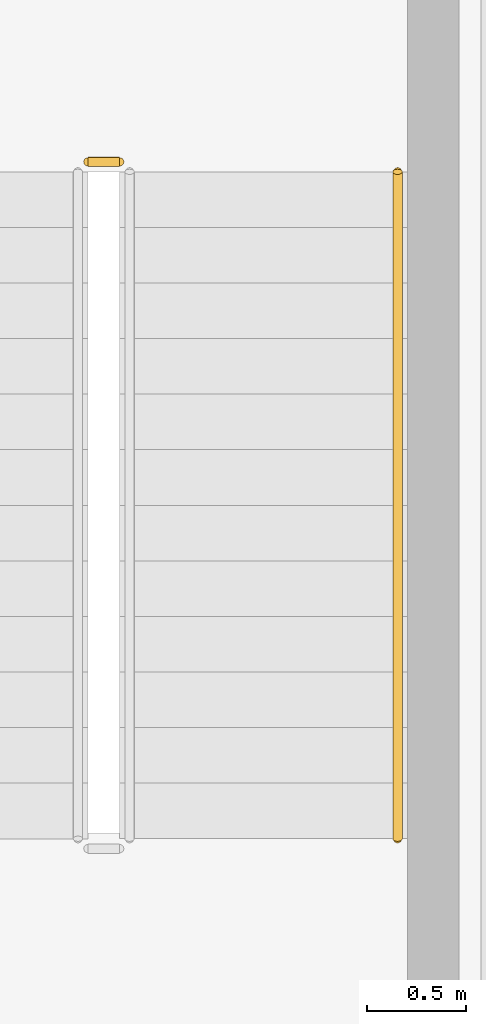
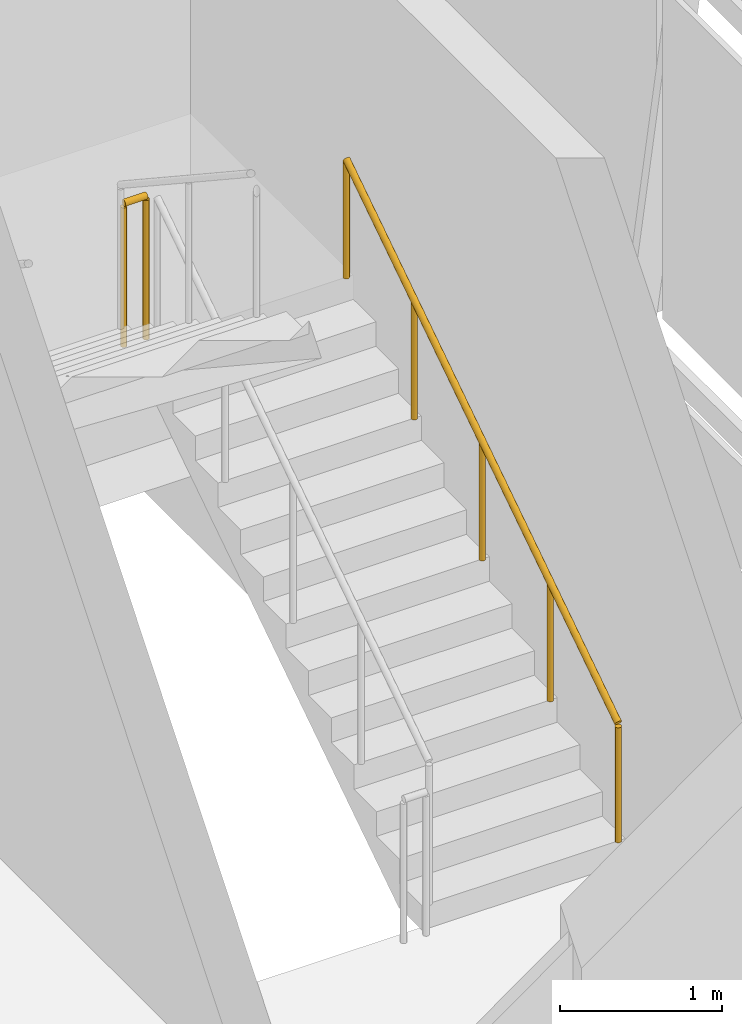
# One storey, part 48 of 52: 2 railings.
"""IFC4 building model written with IfcOpenShell, lengths in metres."""

from ifc_helpers import new_model, si_unit, direction, frame, origin, origin_2d, place, context, subcontext, project, spatial, circle, extrude, material, type_object, element, save


model = new_model("IFC4")

# Units and contexts
model_context = context("Model", 3, precision=1e-05, world=origin(), true_north=direction((0.0, 1.0)))
body_context = subcontext(model_context, "Body", "Model", "MODEL_VIEW")
ifc_project = project(units=[si_unit("LENGTHUNIT", "METRE"), si_unit("AREAUNIT", "SQUARE_METRE"), si_unit("VOLUMEUNIT", "CUBIC_METRE"), si_unit("PLANEANGLEUNIT", "RADIAN"), si_unit("MASSUNIT", "GRAM", prefix="KILO")], contexts=[model_context])

# Site, building, storey
site_placement = place(None, origin())
site = spatial("IfcSite", under=ifc_project, at=site_placement, CompositionType="ELEMENT")
building_placement = place(site_placement, origin())
building = spatial("IfcBuilding", under=site, at=building_placement, Name="Pecanmere Concourse Central Library", CompositionType="ELEMENT")
storey_placement = place(building_placement, frame((0.0, 0.0, 10.5)))
storey = spatial("IfcBuildingStorey", under=building, at=storey_placement, Name="L03", CompositionType="ELEMENT", Elevation=10.5)

# Railings
ifc_material_1 = material(Name="Painted architectural steel ASTM A36", Category="steel")
railing_type_1 = type_object("IfcRailingType", Name="RAIL_STAIR_GUARD", PredefinedType="GUARDRAIL", material=ifc_material_1)
railing_1_placement = place(storey_placement, frame((101.85009765625, 119.4599609375, 2.39990234375)))
element("IfcRailing", 1, at=railing_1_placement, inside=storey, type_object=railing_type_1, Name="L03 ST-04 Guard 2", PredefinedType="GUARDRAIL", context=body_context, shape_type="SweptSolid", body=[
    extrude(circle(Radius=0.02392578125, at=origin_2d()), frame((0.0, 0.0, 1.076171875), z_axis=(-1.0, 0.0, 0.0), x_axis=(0.0, -1.0, 0.0)), (0.0, 0.0, 1.0), 0.16015625),
    extrude(circle(Radius=0.02099609375, at=origin_2d()), origin(), (0.0, 0.0, 1.0), 1.052001953125),
    extrude(circle(Radius=0.02099609375, at=origin_2d()), frame((-0.16015625, 0.0, 0.0)), (0.0, 0.0, 1.0), 1.052001953125),
])
ifc_material_2 = material(Name="Brushed stainless steel Grade 316", Category="steel")
railing_type_2 = type_object("IfcRailingType", Name="RAIL_STAIR_HR", PredefinedType="HANDRAIL", material=ifc_material_2)
railing_2_placement = place(storey_placement, frame((103.25, 116.050048828125, 0.1845703125)))
element("IfcRailing", 2, at=railing_2_placement, inside=storey, type_object=railing_type_2, Name="L03 ST-04 Handrail 1", PredefinedType="HANDRAIL", context=body_context, shape_type="SweptSolid", body=[
    extrude(circle(Radius=0.02392578125, at=origin_2d()), frame((0.0, 0.0, 0.89111328125), z_axis=(0.0, 0.834858096282, 0.550465220583), x_axis=(-1.0, 0.0, 0.0)), (0.0, 0.0, 1.0), 4.0244140625),
    extrude(circle(Radius=0.02099609375, at=origin_2d()), origin(), (0.0, 0.0, 1.0), 0.866943359375),
    extrude(circle(Radius=0.02099609375, at=origin_2d()), frame((0.0, 0.83984375, 0.5537109375)), (0.0, 0.0, 1.0), 0.866943359375),
    extrude(circle(Radius=0.02099609375, at=origin_2d()), frame((0.0, 1.679931640625, 1.107666015625)), (0.0, 0.0, 1.0), 0.866943359375),
    extrude(circle(Radius=0.02099609375, at=origin_2d()), frame((0.0, 2.52001953125, 1.66162109375)), (0.0, 0.0, 1.0), 0.866943359375),
    extrude(circle(Radius=0.02099609375, at=origin_2d()), frame((0.0, 3.35986328125, 2.21533203125)), (0.0, 0.0, 1.0), 0.866943359375),
])

save(model, "model.ifc")
